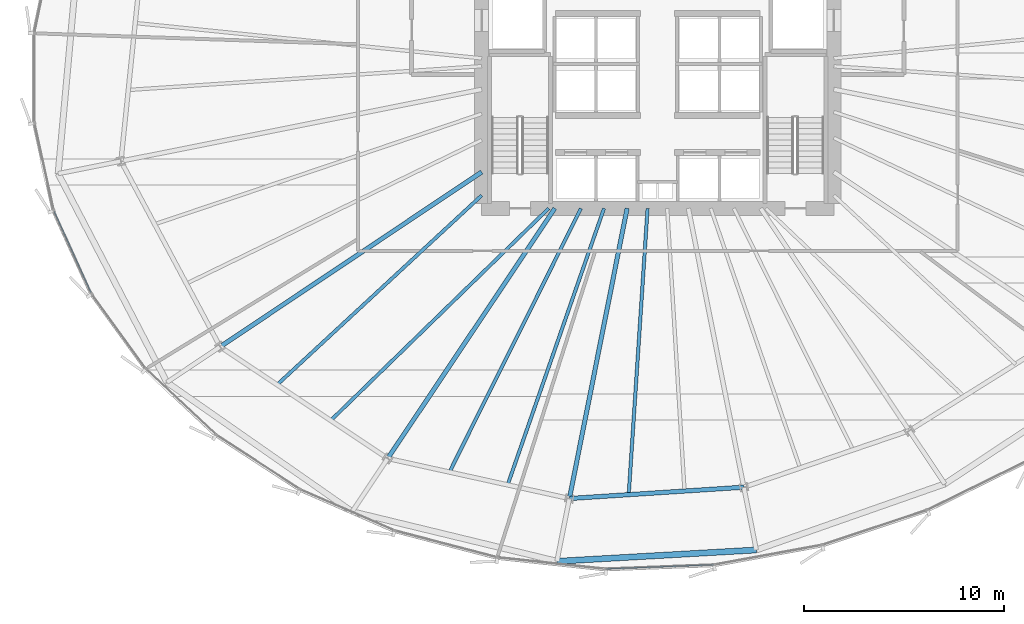
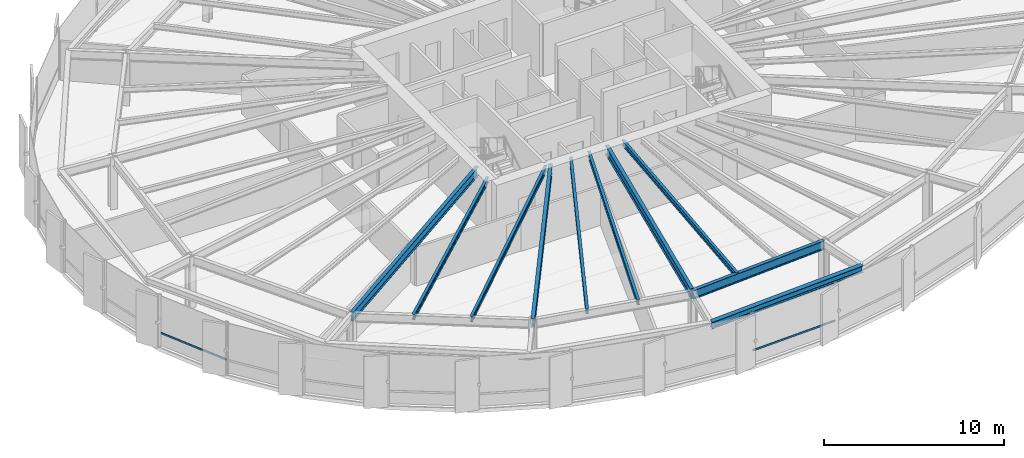
# One storey, part 6 of 37: 10 beams, 2 members, 2 elements without a shape of their own.
"""IFC4 building model written with IfcOpenShell, lengths in metres."""

from ifc_helpers import new_model, si_unit, direction, frame, origin, origin_2d, place, context, subcontext, project, spatial, hollow_rectangle, i_section, extrude, source, transform, mapped, material, layer, layer_set, material_profile, profile_set, type_object, element, aggregate, save


model = new_model("IFC4")

# Units and contexts
model_context = context("Model", 3, precision=1e-05, world=origin(), true_north=direction((0.0, 1.0)))
body_context = subcontext(model_context, "Body", "Model", "MODEL_VIEW")
ifc_project = project(units=[si_unit("LENGTHUNIT", "METRE"), si_unit("AREAUNIT", "SQUARE_METRE"), si_unit("VOLUMEUNIT", "CUBIC_METRE"), si_unit("PLANEANGLEUNIT", "RADIAN"), si_unit("MASSUNIT", "GRAM", prefix="KILO"), si_unit("THERMODYNAMICTEMPERATUREUNIT", "KELVIN")], contexts=[model_context])

# Site, building, storey
site_placement = place(None, origin())
site = spatial("IfcSite", under=ifc_project, at=site_placement, CompositionType="ELEMENT")
building_placement = place(site_placement, origin())
building = spatial("IfcBuilding", under=site, at=building_placement, Name="Kethvar Cultural Tower", CompositionType="ELEMENT")
storey_placement = place(building_placement, frame((0.0, 0.0, 56.199951171875)))
storey = spatial("IfcBuildingStorey", under=building, at=storey_placement, Name="L13", CompositionType="ELEMENT", Elevation=56.199951171875)

# Beams
ifc_material_1 = material(Name="Steel S355J2", Category="steel")
ifc_material_profile_1 = material_profile(ifc_material_1, i_section(OverallWidth=0.219970703125, OverallDepth=0.60009765625, WebThickness=0.011962890625, FlangeThickness=0.01904296875, FilletRadius=0.02392578125, at=origin_2d()), Name="Steel S355J2 — IPE600")
ifc_profile_set_1 = profile_set([ifc_material_profile_1], Name="Steel S355J2 — IPE600")
beam_type_1 = type_object("IfcBeamType", Name="BM-IPE600", PredefinedType="BEAM", material=ifc_profile_set_1)
shared_shape_1 = source(origin(), body_context, "Body", "SweptSolid", [
    extrude(i_section(OverallWidth=0.219970703125, OverallDepth=0.60009765625, WebThickness=0.011962890625, FlangeThickness=0.01904296875, FilletRadius=0.02392578125, at=origin_2d()), origin(), (0.0, 0.0, 1.0), 15.725341796875),
])
beam_1_placement = place(storey_placement, frame((38.0, 21.919921875, 3.248046875), z_axis=(-0.831469433959, -0.555570499929, 0.0), x_axis=(0.555570499929, -0.831469433959, 0.0)))
element("IfcBeam", 1, at=beam_1_placement, inside=storey, type_object=beam_type_1, Name="L13 Primary Radial Beam RB-10", PredefinedType="BEAM", context=body_context, shape_type="MappedRepresentation", body=[
    mapped(shared_shape_1, transform((0.0, 0.0, 0.0), scale=1.0)),
])
shared_shape_2 = source(origin(), body_context, "Body", "SweptSolid", [
    extrude(i_section(OverallWidth=0.219970703125, OverallDepth=0.60009765625, WebThickness=0.011962890625, FlangeThickness=0.01904296875, FilletRadius=0.02392578125, at=origin_2d()), origin(), (0.0, 0.0, 1.0), 15.03515625),
])
beam_2_placement = place(storey_placement, frame((41.655029296875, 20.10009765625, 3.248046875), z_axis=(-0.555569254616, -0.83147026605, 0.0), x_axis=(0.83147026605, -0.555569254616, 0.0)))
element("IfcBeam", 2, at=beam_2_placement, inside=storey, type_object=beam_type_1, Name="L13 Primary Radial Beam RB-11", PredefinedType="BEAM", context=body_context, shape_type="MappedRepresentation", body=[
    mapped(shared_shape_2, transform((0.0, 0.0, 0.0), scale=1.0)),
])
shared_shape_3 = source(origin(), body_context, "Body", "SweptSolid", [
    extrude(i_section(OverallWidth=0.219970703125, OverallDepth=0.60009765625, WebThickness=0.011962890625, FlangeThickness=0.01904296875, FilletRadius=0.02392578125, at=origin_2d()), origin(), (0.0, 0.0, 1.0), 14.7880859375),
])
beam_3_placement = place(storey_placement, frame((45.268310546875, 20.10009765625, 3.248046875), z_axis=(-0.1950905456, -0.98078523593, 0.0), x_axis=(0.98078523593, -0.1950905456, 0.0)))
element("IfcBeam", 3, at=beam_3_placement, inside=storey, type_object=beam_type_1, Name="L13 Primary Radial Beam RB-12", PredefinedType="BEAM", context=body_context, shape_type="MappedRepresentation", body=[
    mapped(shared_shape_3, transform((0.0, 0.0, 0.0), scale=1.0)),
])
ifc_material_profile_2 = material_profile(ifc_material_1, i_section(OverallWidth=0.169921875, OverallDepth=0.360107421875, WebThickness=0.008056640625, FlangeThickness=0.0126953125, FilletRadius=0.01806640625, at=origin_2d()), Name="Steel S355J2 — IPE360")
ifc_profile_set_2 = profile_set([ifc_material_profile_2], Name="Steel S355J2 — IPE360")
beam_type_2 = type_object("IfcBeamType", Name="BM-J360", PredefinedType="JOIST", material=ifc_profile_set_2)
shared_shape_4 = source(origin(), body_context, "Body", "SweptSolid", [
    extrude(i_section(OverallWidth=0.169921875, OverallDepth=0.360107421875, WebThickness=0.008056640625, FlangeThickness=0.0126953125, FilletRadius=0.01806640625, at=origin_2d()), origin(), (0.0, 0.0, 1.0), 13.93505859375),
])
beam_4_placement = place(storey_placement, frame((38.0, 20.75, 3.3681640625), z_axis=(-0.733909459287, -0.679247308106, 0.0), x_axis=(0.679247308106, -0.733909459287, 0.0)))
element("IfcBeam", 4, at=beam_4_placement, inside=storey, type_object=beam_type_2, Name="L13 Composite Floor Joist J-10A", PredefinedType="JOIST", context=body_context, shape_type="MappedRepresentation", body=[
    mapped(shared_shape_4, transform((0.0, 0.0, 0.0), scale=1.0)),
])
shared_shape_5 = source(origin(), body_context, "Body", "SweptSolid", [
    extrude(i_section(OverallWidth=0.169921875, OverallDepth=0.360107421875, WebThickness=0.008056640625, FlangeThickness=0.0126953125, FilletRadius=0.01806640625, at=origin_2d()), origin(), (0.0, 0.0, 1.0), 15.20361328125),
])
beam_5_placement = place(storey_placement, frame((41.35009765625, 20.10009765625, 3.3681640625), z_axis=(-0.716707709325, -0.697373687053, 0.0), x_axis=(0.697373687053, -0.716707709325, 0.0)))
element("IfcBeam", 5, at=beam_5_placement, inside=storey, type_object=beam_type_2, Name="L13 Composite Floor Joist J-10B", PredefinedType="JOIST", context=body_context, shape_type="MappedRepresentation", body=[
    mapped(shared_shape_5, transform((0.0, 0.0, 0.0), scale=1.0)),
])
shared_shape_6 = source(origin(), body_context, "Body", "SweptSolid", [
    extrude(i_section(OverallWidth=0.169921875, OverallDepth=0.360107421875, WebThickness=0.008056640625, FlangeThickness=0.0126953125, FilletRadius=0.01806640625, at=origin_2d()), origin(), (0.0, 0.0, 1.0), 14.729248046875),
])
beam_6_placement = place(storey_placement, frame((42.961181640625, 20.10009765625, 3.3681640625), z_axis=(-0.446152473361, -0.894956965733, 0.0), x_axis=(0.894956965733, -0.446152473361, 0.0)))
element("IfcBeam", 6, at=beam_6_placement, inside=storey, type_object=beam_type_2, Name="L13 Composite Floor Joist J-11A", PredefinedType="JOIST", context=body_context, shape_type="MappedRepresentation", body=[
    mapped(shared_shape_6, transform((0.0, 0.0, 0.0), scale=1.0)),
])
shared_shape_7 = source(origin(), body_context, "Body", "SweptSolid", [
    extrude(i_section(OverallWidth=0.169921875, OverallDepth=0.360107421875, WebThickness=0.008056640625, FlangeThickness=0.0126953125, FilletRadius=0.01806640625, at=origin_2d()), origin(), (0.0, 0.0, 1.0), 14.63916015625),
])
beam_7_placement = place(storey_placement, frame((44.115234375, 20.10009765625, 3.3681640625), z_axis=(-0.329226238223, -0.94425107046, 0.0), x_axis=(0.94425107046, -0.329226238223, 0.0)))
element("IfcBeam", 7, at=beam_7_placement, inside=storey, type_object=beam_type_2, Name="L13 Composite Floor Joist J-11B", PredefinedType="JOIST", context=body_context, shape_type="MappedRepresentation", body=[
    mapped(shared_shape_7, transform((0.0, 0.0, 0.0), scale=1.0)),
])
shared_shape_8 = source(origin(), body_context, "Body", "SweptSolid", [
    extrude(i_section(OverallWidth=0.219970703125, OverallDepth=0.60009765625, WebThickness=0.011962890625, FlangeThickness=0.01904296875, FilletRadius=0.02392578125, at=origin_2d()), origin(), (0.0, 0.0, 1.0), 8.739013671875),
])
beam_8_placement = place(storey_placement, frame((42.38330078125, 5.59619140625, 3.248046875), z_axis=(0.997897424084, 0.064813046581, 0.0), x_axis=(-0.064813046581, 0.997897424084, 0.0)))
element("IfcBeam", 8, at=beam_8_placement, inside=storey, type_object=beam_type_1, Name="L13 Column Ring Tie Beam CR-12", PredefinedType="BEAM", context=body_context, shape_type="MappedRepresentation", body=[
    mapped(shared_shape_8, transform((0.0, 0.0, 0.0), scale=1.0)),
])
ifc_material_profile_3 = material_profile(ifc_material_1, i_section(OverallWidth=0.300048828125, OverallDepth=0.449951171875, WebThickness=0.013916015625, FlangeThickness=0.02587890625, FilletRadius=0.027099609375, at=origin_2d()), Name="Steel S355J2 — HEB450")
ifc_profile_set_3 = profile_set([ifc_material_profile_3], Name="Steel S355J2 — HEB450")
beam_type_3 = type_object("IfcBeamType", Name="BM-SP450", PredefinedType="SPANDREL", material=ifc_profile_set_3)
shared_shape_9 = source(origin(), body_context, "Body", "SweptSolid", [
    extrude(i_section(OverallWidth=0.300048828125, OverallDepth=0.449951171875, WebThickness=0.013916015625, FlangeThickness=0.02587890625, FilletRadius=0.027099609375, at=origin_2d()), origin(), (0.0, 0.0, 1.0), 9.9853515625),
])
beam_9_placement = place(storey_placement, frame((41.759033203125, 2.45751953125, 3.322998046875), z_axis=(0.998388517249, 0.056748291829, 0.0), x_axis=(-0.056748291829, 0.998388517249, 0.0)))
element("IfcBeam", 9, at=beam_9_placement, inside=storey, type_object=beam_type_3, Name="L13 Perimeter Spandrel Beam SP-12", PredefinedType="SPANDREL", context=body_context, shape_type="MappedRepresentation", body=[
    mapped(shared_shape_9, transform((0.0, 0.0, 0.0), scale=1.0)),
])
shared_shape_10 = source(origin(), body_context, "Body", "SweptSolid", [
    extrude(i_section(OverallWidth=0.169921875, OverallDepth=0.360107421875, WebThickness=0.008056640625, FlangeThickness=0.0126953125, FilletRadius=0.01806640625, at=origin_2d()), origin(), (0.0, 0.0, 1.0), 14.34228515625),
])
beam_10_placement = place(storey_placement, frame((46.292236328125, 20.10009765625, 3.3681640625), z_axis=(-0.065808348808, -0.997832281111, 0.0), x_axis=(0.997832281111, -0.065808348808, 0.0)))
element("IfcBeam", 10, at=beam_10_placement, inside=storey, type_object=beam_type_2, Name="L13 Composite Floor Joist J-12A", PredefinedType="JOIST", context=body_context, shape_type="MappedRepresentation", body=[
    mapped(shared_shape_10, transform((0.0, 0.0, 0.0), scale=1.0)),
])

# Curtain wall, member
ifc_material_2 = material(Name="Aluminium 6063-T6", Category="aluminium")
ifc_layer = layer(ifc_material_2, 0.179931640625, Name="Aluminium 6063-T6", Category="aluminium")
ifc_layer_set = layer_set([ifc_layer], Name="Aluminium 6063-T6 (180 mm)")
curtain_wall_type = type_object("IfcCurtainWallType", Name="CW-SYS-02-Z1", PredefinedType="NOTDEFINED", material=ifc_layer_set)
curtain_wall_1_placement = place(storey_placement, origin())
curtain_wall_1 = element("IfcCurtainWall", 11, at=curtain_wall_1_placement, inside=storey, type_object=curtain_wall_type, Name="L13 Curtain Wall Run 04", PredefinedType="NOTDEFINED")
ifc_material_profile_4 = material_profile(ifc_material_2, hollow_rectangle(XDim=0.054931640625, YDim=0.1201171875, WallThickness=0.00390625, at=origin_2d()), Name="Aluminium 6063-T6 — RHS120x55x4")
ifc_profile_set_4 = profile_set([ifc_material_profile_4], Name="Aluminium 6063-T6 — RHS120x55x4")
member_type = type_object("IfcMemberType", Name="CW-SYS-02-Z1-TRN", PredefinedType="USERDEFINED", material=ifc_profile_set_4)
shared_shape_11 = source(origin(), body_context, "Body", "SweptSolid", [
    extrude(hollow_rectangle(XDim=0.054931640625, YDim=0.1201171875, WallThickness=0.00390625, at=origin_2d()), origin(), (0.0, 0.0, 1.0), 4.474609375),
])
member_1_placement = place(storey_placement, frame((16.626953125, 19.956298828125, 0.949951171875), z_axis=(0.413087533545, -0.910691325109, 0.0), x_axis=(0.910691325109, 0.413087533545, 0.0)))
member_1 = element("IfcMember", 12, at=member_1_placement, type_object=member_type, Name="CW-L13-R04 Transom 6", ObjectType="TRANSOM", PredefinedType="USERDEFINED", context=body_context, shape_type="MappedRepresentation", body=[
    mapped(shared_shape_11, transform((0.0, 0.0, 0.0), scale=1.0)),
])
aggregate(curtain_wall_1, [member_1])

curtain_wall_2_placement = place(storey_placement, origin())
curtain_wall_2 = element("IfcCurtainWall", 13, at=curtain_wall_2_placement, inside=storey, type_object=curtain_wall_type, Name="L13 Curtain Wall Run 06", PredefinedType="NOTDEFINED")
shared_shape_12 = source(origin(), body_context, "Body", "SweptSolid", [
    extrude(hollow_rectangle(XDim=0.054931640625, YDim=0.1201171875, WallThickness=0.00390625, at=origin_2d()), origin(), (0.0, 0.0, 1.0), 5.383056640625),
])
member_2_placement = place(storey_placement, frame((44.199462890625, 2.078857421875, 0.949951171875), z_axis=(0.999263651228, 0.038368676482, 0.0), x_axis=(-0.038368676482, 0.999263651228, 0.0)))
member_2 = element("IfcMember", 14, at=member_2_placement, type_object=member_type, Name="CW-L13-R06 Transom 1", ObjectType="TRANSOM", PredefinedType="USERDEFINED", context=body_context, shape_type="MappedRepresentation", body=[
    mapped(shared_shape_12, transform((0.0, 0.0, 0.0), scale=1.0)),
])
aggregate(curtain_wall_2, [member_2])

save(model, "model.ifc")
